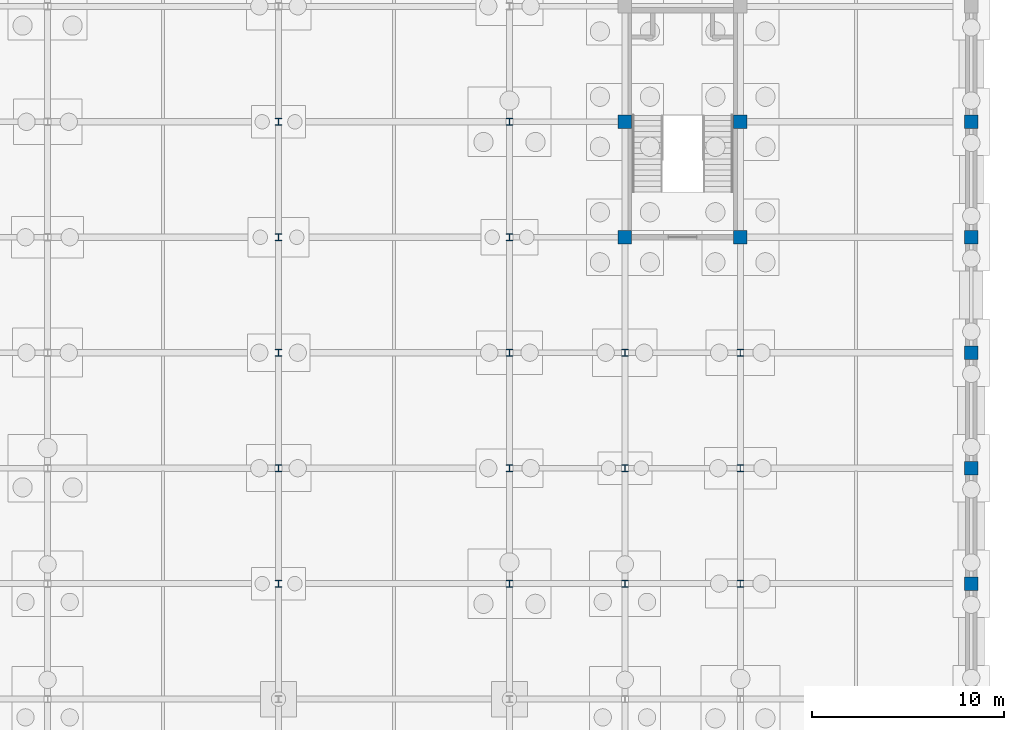
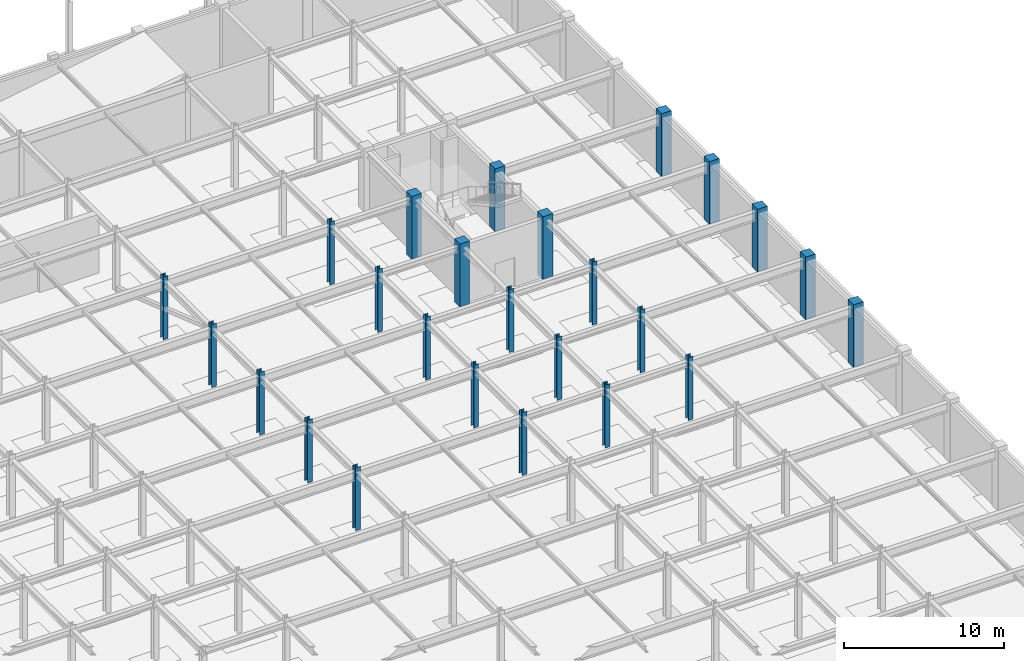
# One storey, part 32 of 69: 25 columns.
"""IFC4 building model written with IfcOpenShell, lengths in metres."""

from ifc_helpers import new_model, si_unit, direction, frame, origin, origin_2d, place, context, subcontext, project, spatial, rectangle, i_section, extrude, material, material_profile, profile_set, type_object, element, save


model = new_model("IFC4")

# Units and contexts
model_context = context("Model", 3, precision=1e-05, world=origin(), true_north=direction((0.0, 1.0)))
body_context = subcontext(model_context, "Body", "Model", "MODEL_VIEW")
ifc_project = project(units=[si_unit("LENGTHUNIT", "METRE"), si_unit("AREAUNIT", "SQUARE_METRE"), si_unit("VOLUMEUNIT", "CUBIC_METRE"), si_unit("PLANEANGLEUNIT", "RADIAN"), si_unit("MASSUNIT", "GRAM", prefix="KILO")], contexts=[model_context])

# Site, building, storey
site_placement = place(None, origin())
site = spatial("IfcSite", under=ifc_project, at=site_placement, CompositionType="ELEMENT")
building_placement = place(site_placement, origin())
building = spatial("IfcBuilding", under=site, at=building_placement, Name="Zlatovratsky Civic Hall", CompositionType="ELEMENT")
storey_placement = place(building_placement, frame((0.0, 0.0, -4.800048828125)))
storey = spatial("IfcBuildingStorey", under=building, at=storey_placement, Name="B1", CompositionType="ELEMENT", Elevation=-4.800048828125)

# Columns
ifc_material_1 = material(Name="Concrete C35/45 (B40)", Category="concrete")
ifc_material_profile_1 = material_profile(ifc_material_1, rectangle(XDim=0.699951171875, YDim=0.699951171875, at=origin_2d()), Name="RC 700x700")
ifc_profile_set_1 = profile_set([ifc_material_profile_1], Name="Concrete C35/45 (B40)")
column_type_1 = type_object("IfcColumnType", Name="Col_CorePier_RC700", PredefinedType="COLUMN", material=ifc_profile_set_1)
for number, where, z_axis, x_axis, name in (
    (1, (168.0, 66.0, 0.0), (0.0, 0.0, 1.0), (1.0, 0.0, 0.0), "CL-0232"),
    (2, (168.0, 72.0, 0.0), (0.0, 0.0, 1.0), (1.0, 0.0, 0.0), "CL-0255"),
    (3, (168.0, 78.0, 0.0), (0.0, 0.0, 1.0), (1.0, 0.0, 0.0), "CL-0278"),
    (4, (150.0, 84.0, 0.0), (0.0, 0.0, 1.0), (1.0, 0.0, 0.0), "CL-0299"),
    (5, (156.0, 84.0, 0.0), (0.0, 0.0, 1.0), (1.0, 0.0, 0.0), "CL-0300"),
    (6, (168.0, 84.0, 0.0), (0.0, 0.0, 1.0), (1.0, 0.0, 0.0), "CL-0301"),
    (7, (150.0, 90.0, 0.0), (0.0, 0.0, 1.0), (1.0, 0.0, 0.0), "CL-0322"),
    (8, (156.0, 90.0, 0.0), (0.0, 0.0, 1.0), (1.0, 0.0, 0.0), "CL-0323"),
    (9, (168.0, 90.0, 0.0), (0.0, 0.0, 1.0), (1.0, 0.0, 0.0), "CL-0324"),
):
    element("IfcColumn", number, at=place(storey_placement, frame(where, z_axis=z_axis, x_axis=x_axis)), inside=storey, type_object=column_type_1, Name=name, PredefinedType="COLUMN", context=body_context, shape_type="SweptSolid", body=[
        extrude(rectangle(XDim=0.699951171875, YDim=0.699951171875, at=origin_2d()), origin(), (0.0, 0.0, 1.0), 4.800048828125),
    ])
ifc_material_2 = material(Name="Steel S355", Category="steel")
ifc_material_profile_2 = material_profile(ifc_material_2, i_section(OverallWidth=0.35009765625, OverallDepth=0.35009765625, WebThickness=0.011962890625, FlangeThickness=0.01904296875, FilletRadius=0.02001953125, at=origin_2d()), Name="35K2")
ifc_profile_set_2 = profile_set([ifc_material_profile_2], Name="Steel S355")
column_type_2 = type_object("IfcColumnType", Name="Col_Steel_35K2", PredefinedType="COLUMN", material=ifc_profile_set_2)
for number, where, z_axis, x_axis, name in (
    (10, (132.0, 66.0, 0.0), (0.0, 0.0, 1.0), (1.0, 0.0, 0.0), "CL-0228"),
    (11, (144.0, 66.0, 0.0), (0.0, 0.0, 1.0), (1.0, 0.0, 0.0), "CL-0229"),
    (12, (150.0, 66.0, 0.0), (0.0, 0.0, 1.0), (1.0, 0.0, 0.0), "CL-0230"),
    (13, (156.0, 66.0, 0.0), (0.0, 0.0, 1.0), (1.0, 0.0, 0.0), "CL-0231"),
    (14, (132.0, 72.0, 0.0), (0.0, 0.0, 1.0), (1.0, 0.0, 0.0), "CL-0251"),
    (15, (144.0, 72.0, 0.0), (0.0, 0.0, 1.0), (1.0, 0.0, 0.0), "CL-0252"),
    (16, (150.0, 72.0, 0.0), (0.0, 0.0, 1.0), (1.0, 0.0, 0.0), "CL-0253"),
    (17, (156.0, 72.0, 0.0), (0.0, 0.0, 1.0), (1.0, 0.0, 0.0), "CL-0254"),
    (18, (132.0, 78.0, 0.0), (0.0, 0.0, 1.0), (1.0, 0.0, 0.0), "CL-0274"),
    (19, (144.0, 78.0, 0.0), (0.0, 0.0, 1.0), (1.0, 0.0, 0.0), "CL-0275"),
    (20, (150.0, 78.0, 0.0), (0.0, 0.0, 1.0), (1.0, 0.0, 0.0), "CL-0276"),
    (21, (156.0, 78.0, 0.0), (0.0, 0.0, 1.0), (1.0, 0.0, 0.0), "CL-0277"),
    (22, (132.0, 84.0, 0.0), (0.0, 0.0, 1.0), (1.0, 0.0, 0.0), "CL-0297"),
    (23, (144.0, 84.0, 0.0), (0.0, 0.0, 1.0), (1.0, 0.0, 0.0), "CL-0298"),
    (24, (132.0, 90.0, 0.0), (0.0, 0.0, 1.0), (1.0, 0.0, 0.0), "CL-0320"),
    (25, (144.0, 90.0, 0.0), (0.0, 0.0, 1.0), (1.0, 0.0, 0.0), "CL-0321"),
):
    element("IfcColumn", number, at=place(storey_placement, frame(where, z_axis=z_axis, x_axis=x_axis)), inside=storey, type_object=column_type_2, Name=name, PredefinedType="COLUMN", context=body_context, shape_type="SweptSolid", body=[
        extrude(i_section(OverallWidth=0.35009765625, OverallDepth=0.35009765625, WebThickness=0.011962890625, FlangeThickness=0.01904296875, FilletRadius=0.02001953125, at=origin_2d()), origin(), (0.0, 0.0, 1.0), 4.800048828125),
    ])

save(model, "model.ifc")
